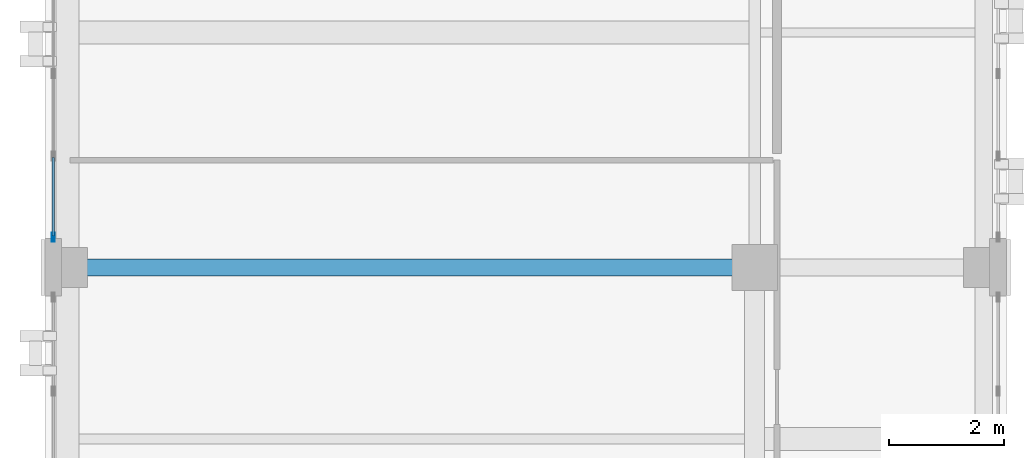
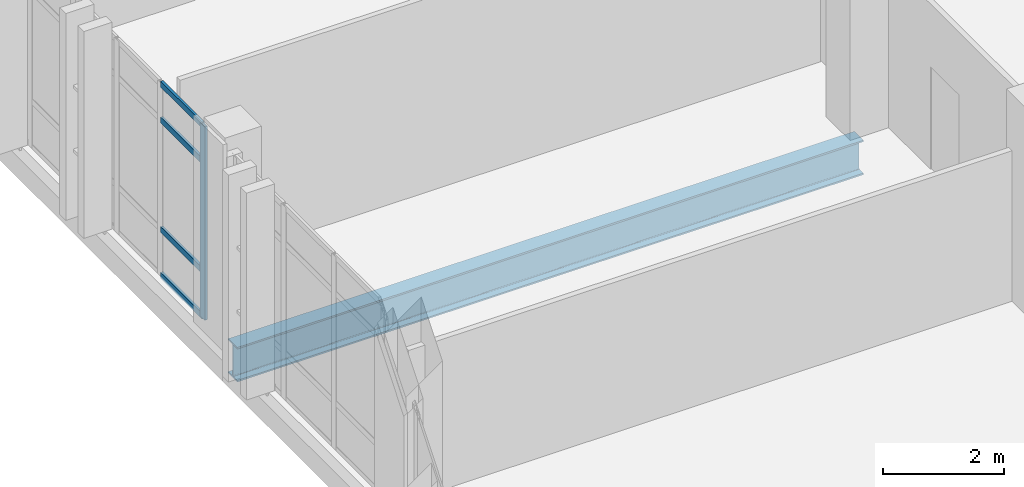
# One storey, part 69 of 165: 5 members, 1 beam, 1 element without a shape of its own.
"""IFC4 building model written with IfcOpenShell, lengths in metres."""

from ifc_helpers import new_model, si_unit, direction, frame, origin, origin_2d, place, context, subcontext, project, spatial, hollow_rectangle, i_section, extrude, material, layer, layer_set, material_profile, profile_set, type_object, element, aggregate, save


model = new_model("IFC4")

# Units and contexts
model_context = context("Model", 3, precision=1e-05, world=origin(), true_north=direction((0.0, 1.0)))
body_context = subcontext(model_context, "Body", "Model", "MODEL_VIEW")
ifc_project = project(units=[si_unit("LENGTHUNIT", "METRE"), si_unit("AREAUNIT", "SQUARE_METRE"), si_unit("VOLUMEUNIT", "CUBIC_METRE"), si_unit("PLANEANGLEUNIT", "RADIAN"), si_unit("MASSUNIT", "GRAM", prefix="KILO")], contexts=[model_context])

# Site, building, storey
site_placement = place(None, origin())
site = spatial("IfcSite", under=ifc_project, at=site_placement, CompositionType="ELEMENT")
building_placement = place(site_placement, origin())
building = spatial("IfcBuilding", under=site, at=building_placement, Name="Qalavern Law Courts", CompositionType="ELEMENT")
storey_placement = place(building_placement, frame((0.0, 0.0, 14.39990234375)))
storey = spatial("IfcBuildingStorey", under=building, at=storey_placement, Name="L03", CompositionType="ELEMENT", Elevation=14.39990234375)

# Curtain wall, members
ifc_material_1 = material(Name="Anodised aluminium and insulated glazing", Category="aluminium")
ifc_layer = layer(ifc_material_1, 0.172119140625)
ifc_layer_set = layer_set([ifc_layer], Name="Anodised aluminium and insulated glazing")
curtain_wall_type = type_object("IfcCurtainWallType", Name="ENV-CW-COURT", PredefinedType="USERDEFINED", material=ifc_layer_set)
curtain_wall_placement = place(storey_placement, origin())
curtain_wall = element("IfcCurtainWall", 1, at=curtain_wall_placement, inside=storey, type_object=curtain_wall_type, Name="V3 unitised curtain wall L03 west 2", ObjectType="UNITISED CURTAIN WALL", PredefinedType="USERDEFINED")
ifc_material_2 = material(Name="Anodised aluminium", Category="aluminium")
ifc_material_profile_1 = material_profile(ifc_material_2, hollow_rectangle(XDim=0.048095703125, YDim=0.159912109375, WallThickness=0.00390625, at=origin_2d()), Name="ALU MULLION 48x160")
ifc_profile_set_1 = profile_set([ifc_material_profile_1], Name="Anodised aluminium")
member_type_1 = type_object("IfcMemberType", Name="ENV-CWM-48x160", PredefinedType="MULLION", material=ifc_profile_set_1)
member_1_placement = place(storey_placement, frame((2.1474609375, 79.924072265625, 0.0), z_axis=(0.0, 0.0, 1.0), x_axis=(1.0, 0.0, 0.0)))
member_1 = element("IfcMember", 2, at=member_1_placement, type_object=member_type_1, Name="CW-03 mullion 6", PredefinedType="MULLION", context=body_context, shape_type="SweptSolid", body=[
    extrude(hollow_rectangle(XDim=0.048095703125, YDim=0.159912109375, WallThickness=0.00390625, at=origin_2d()), origin(), (0.0, 0.0, 1.0), 3.920166015625),
])
ifc_material_profile_2 = material_profile(ifc_material_2, hollow_rectangle(XDim=0.048095703125, YDim=0.1201171875, WallThickness=0.00390625, at=origin_2d()), Name="ALU TRANSOM 48x120")
ifc_profile_set_2 = profile_set([ifc_material_profile_2], Name="Anodised aluminium")
member_type_2 = type_object("IfcMemberType", Name="ENV-CWT-48x120", PredefinedType="USERDEFINED", material=ifc_profile_set_2)
member_2_placement = place(storey_placement, frame((2.1474609375, 81.31591796875, 0.024169921875), z_axis=(0.0, -1.0, 0.0), x_axis=(1.0, 0.0, 0.0)))
member_2 = element("IfcMember", 3, at=member_2_placement, type_object=member_type_2, Name="CW-03 transom 5.1", ObjectType="TRANSOM", PredefinedType="USERDEFINED", context=body_context, shape_type="SweptSolid", body=[
    extrude(hollow_rectangle(XDim=0.048095703125, YDim=0.1201171875, WallThickness=0.00390625, at=origin_2d()), origin(), (0.0, 0.0, 1.0), 1.367919921875),
])
member_3_placement = place(storey_placement, frame((2.1474609375, 81.31591796875, 0.9501953125), z_axis=(0.0, -1.0, 0.0), x_axis=(1.0, 0.0, 0.0)))
member_3 = element("IfcMember", 4, at=member_3_placement, type_object=member_type_2, Name="CW-03 transom 5.2", ObjectType="TRANSOM", PredefinedType="USERDEFINED", context=body_context, shape_type="SweptSolid", body=[
    extrude(hollow_rectangle(XDim=0.048095703125, YDim=0.1201171875, WallThickness=0.00390625, at=origin_2d()), origin(), (0.0, 0.0, 1.0), 1.367919921875),
])
member_4_placement = place(storey_placement, frame((2.1474609375, 81.31591796875, 3.170166015625), z_axis=(0.0, -1.0, 0.0), x_axis=(1.0, 0.0, 0.0)))
member_4 = element("IfcMember", 5, at=member_4_placement, type_object=member_type_2, Name="CW-03 transom 5.3", ObjectType="TRANSOM", PredefinedType="USERDEFINED", context=body_context, shape_type="SweptSolid", body=[
    extrude(hollow_rectangle(XDim=0.048095703125, YDim=0.1201171875, WallThickness=0.00390625, at=origin_2d()), origin(), (0.0, 0.0, 1.0), 1.367919921875),
])
member_5_placement = place(storey_placement, frame((2.1474609375, 81.31591796875, 3.89599609375), z_axis=(0.0, -1.0, 0.0), x_axis=(1.0, 0.0, 0.0)))
member_5 = element("IfcMember", 6, at=member_5_placement, type_object=member_type_2, Name="CW-03 transom 5.4", ObjectType="TRANSOM", PredefinedType="USERDEFINED", context=body_context, shape_type="SweptSolid", body=[
    extrude(hollow_rectangle(XDim=0.048095703125, YDim=0.1201171875, WallThickness=0.00390625, at=origin_2d()), origin(), (0.0, 0.0, 1.0), 1.367919921875),
])
aggregate(curtain_wall, [member_1, member_2, member_3, member_4, member_5])

# Beam
ifc_material_3 = material(Name="Steel S355", Category="steel")
ifc_material_profile_3 = material_profile(ifc_material_3, i_section(OverallWidth=0.300048828125, OverallDepth=0.699951171875, WebThickness=0.01708984375, FlangeThickness=0.031982421875, FilletRadius=0.027099609375, at=origin_2d()), Name="HEB 700")
ifc_profile_set_3 = profile_set([ifc_material_profile_3], Name="Steel S355")
beam_type = type_object("IfcBeamType", Name="STR-BM-HEB700", PredefinedType="BEAM", material=ifc_profile_set_3)
beam_placement = place(storey_placement, frame((2.39990234375, 79.39990234375, -0.635009765625), z_axis=(1.0, 0.0, 0.0), x_axis=(0.0, 1.0, 0.0)))
element("IfcBeam", 7, at=beam_placement, inside=storey, type_object=beam_type, Name="V3 X-beam 6-1 L03", PredefinedType="BEAM", context=body_context, shape_type="SweptSolid", body=[
    extrude(i_section(OverallWidth=0.300048828125, OverallDepth=0.699951171875, WebThickness=0.01708984375, FlangeThickness=0.031982421875, FilletRadius=0.027099609375, at=origin_2d()), origin(), (0.0, 0.0, 1.0), 12.0),
])

save(model, "model.ifc")
